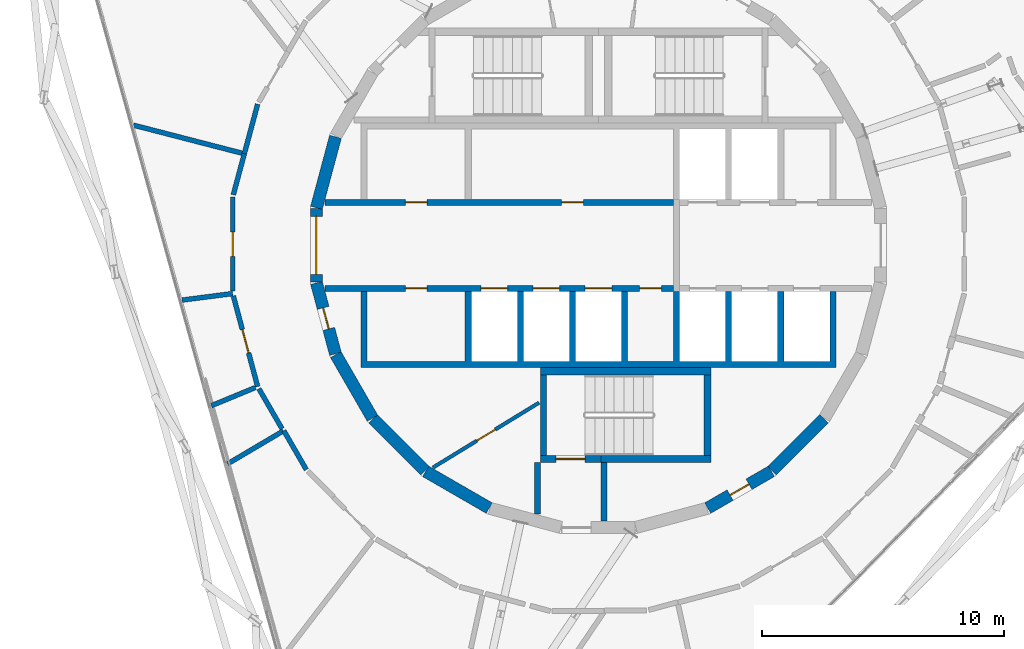
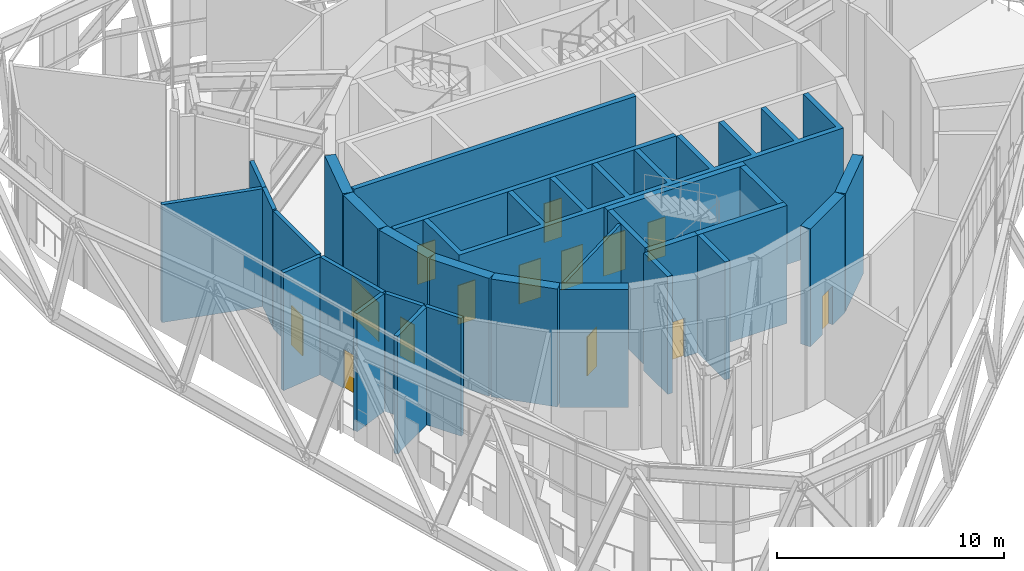
# One storey, part 18 of 23: 29 walls, 14 doors, 14 openings.
"""IFC4 building model written with IfcOpenShell, lengths in metres."""

from ifc_helpers import new_model, si_unit, direction, frame, frame_2d, origin, place, context, subcontext, project, spatial, polyline, rectangle, outline, extrude, material, layer, layer_set, type_object, element, fill, save


model = new_model("IFC4")

# Units and contexts
model_context = context("Model", 3, precision=1e-05, world=origin(), true_north=direction((0.0, 1.0)))
body_context = subcontext(model_context, "Body", "Model", "MODEL_VIEW")
ifc_project = project(units=[si_unit("LENGTHUNIT", "METRE"), si_unit("AREAUNIT", "SQUARE_METRE"), si_unit("VOLUMEUNIT", "CUBIC_METRE"), si_unit("PLANEANGLEUNIT", "RADIAN"), si_unit("MASSUNIT", "GRAM", prefix="KILO")], contexts=[model_context])

# Site, building, storey
site_placement = place(None, origin())
site = spatial("IfcSite", under=ifc_project, at=site_placement, CompositionType="ELEMENT")
building_placement = place(site_placement, origin())
building = spatial("IfcBuilding", under=site, at=building_placement, Name="Spindle Arch Residences", CompositionType="ELEMENT")
storey_placement = place(building_placement, frame((0.0, 0.0, 326.199951171875)))
storey = spatial("IfcBuildingStorey", under=building, at=storey_placement, Name="L84", CompositionType="ELEMENT", Elevation=326.199951171875)

# Wall, opening, door
ifc_material_1 = material(Name="Concrete C50/60", Category="concrete")
ifc_layer_1 = layer(ifc_material_1, 0.5)
ifc_layer_set_1 = layer_set([ifc_layer_1], Name="Core outline wall 500")
wall_type_1 = type_object("IfcWallType", Name="Core outline wall 500", PredefinedType="SHEAR", material=ifc_layer_set_1)
wall_1_placement = place(storey_placement, frame((4.510498046875, -10.84521484375, 0.0), z_axis=(0.0, 0.0, 1.0), x_axis=(0.865975092491, 0.500087131594, 0.0)))
wall_1 = element("IfcWall", 1, at=wall_1_placement, inside=storey, type_object=wall_type_1, Name="Core outline wall 2", PredefinedType="SHEAR", context=body_context, shape_type="SweptSolid", body=[
    extrude(rectangle(XDim=3.03271484375, YDim=0.5, at=frame_2d((1.516357421875, 0.0))), origin(), (0.0, 0.0, 1.0), 6.35009765625),
])
opening_1_placement = place(wall_1_placement, frame((1.06640625, 0.0, 0.0)))
opening_1 = element("IfcOpeningElement", 2, at=opening_1_placement, cuts=wall_1, Name="Opening L84-WD09", PredefinedType="OPENING", context=body_context, shape_type="SweptSolid", body=[
    extrude(rectangle(XDim=0.89990234375, YDim=2.10009765625, at=frame_2d((0.449951171875, 1.050048828125))), frame((0.0, 0.260009765625, 0.0), z_axis=(0.0, -1.0, 0.0), x_axis=(1.0, 0.0, 0.0)), (0.0, 0.0, 1.0), 0.52001953125),
])
ifc_material_2 = material(Name="Steel, fire-resisting door", Category="steel")
door_type_1 = type_object("IfcDoorType", Name="Service room door 900x2100", OperationType="SINGLE_SWING_LEFT", PredefinedType="DOOR", material=ifc_material_2)
door_1_placement = place(opening_1_placement, origin())
door_1 = element("IfcDoor", 3, at=door_1_placement, inside=storey, type_object=door_type_1, Name="Service room door L84-WD09", OperationType="SINGLE_SWING_LEFT", OverallHeight=2.10009765625, OverallWidth=0.89990234375, PredefinedType="DOOR", context=body_context, shape_type="SweptSolid", body=[
    extrude(rectangle(XDim=0.89990234375, YDim=2.10009765625, at=frame_2d((0.449951171875, 1.050048828125))), frame((0.0, 0.02490234375, 0.0), z_axis=(0.0, -1.0, 0.0), x_axis=(1.0, 0.0, 0.0)), (0.0, 0.0, 1.0), 0.050048828125),
])
fill(opening_1, door_1)

# Walls
wall_2_placement = place(storey_placement, frame((7.163818359375, -9.30810546875, 0.0), z_axis=(0.0, 0.0, 1.0), x_axis=(0.707106781187, 0.707106781187, 0.0)))
element("IfcWall", 4, at=wall_2_placement, inside=storey, type_object=wall_type_1, Name="Core outline wall 3", PredefinedType="SHEAR", context=body_context, shape_type="SweptSolid", body=[
    extrude(rectangle(XDim=3.032470703125, YDim=0.5, at=frame_2d((1.51611328125, 0.0))), origin(), (0.0, 0.0, 1.0), 6.35009765625),
])
wall_3_placement = place(storey_placement, frame((-10.858154296875, 4.479248046875, 0.0), z_axis=(0.0, 0.0, 1.0), x_axis=(-0.258734743916, -0.965948410781, 0.0)))
element("IfcWall", 5, at=wall_3_placement, inside=storey, type_object=wall_type_1, Name="Core outline wall 17", PredefinedType="SHEAR", context=body_context, shape_type="SweptSolid", body=[
    extrude(rectangle(XDim=3.03271484375, YDim=0.5, at=frame_2d((1.516357421875, 0.0))), origin(), (0.0, 0.0, 1.0), 6.35009765625),
])

# Wall, opening, door
wall_4_placement = place(storey_placement, frame((-11.647216796875, 1.516357421875, 0.0), z_axis=(0.0, 0.0, 1.0), x_axis=(0.0, -1.0, 0.0)))
wall_4 = element("IfcWall", 6, at=wall_4_placement, inside=storey, type_object=wall_type_1, Name="Core outline wall 18", PredefinedType="SHEAR", context=body_context, shape_type="SweptSolid", body=[
    extrude(rectangle(XDim=3.03271484375, YDim=0.5, at=frame_2d((1.516357421875, 0.0))), origin(), (0.0, 0.0, 1.0), 6.35009765625),
])
opening_2_placement = place(wall_4_placement, frame((0.31640625, 0.0, 0.0)))
opening_2 = element("IfcOpeningElement", 7, at=opening_2_placement, cuts=wall_4, Name="Opening L84-LE01", PredefinedType="OPENING", context=body_context, shape_type="SweptSolid", body=[
    extrude(rectangle(XDim=2.39990234375, YDim=2.10009765625, at=frame_2d((1.199951171875, 1.050048828125))), frame((0.0, 0.260009765625, 0.0), z_axis=(0.0, -1.0, 0.0), x_axis=(1.0, 0.0, 0.0)), (0.0, 0.0, 1.0), 0.52001953125),
])
ifc_material_3 = material(Name="Steel, fire-resisting door", Category="steel")
door_type_2 = type_object("IfcDoorType", Name="Lift lobby entrance door 2400x2100", OperationType="DOUBLE_DOOR_SINGLE_SWING", PredefinedType="DOOR", material=ifc_material_3)
door_2_placement = place(opening_2_placement, origin())
door_2 = element("IfcDoor", 8, at=door_2_placement, inside=storey, type_object=door_type_2, Name="Lift lobby entrance door L84-LE01", OperationType="DOUBLE_DOOR_SINGLE_SWING", OverallHeight=2.10009765625, OverallWidth=2.39990234375, PredefinedType="DOOR", context=body_context, shape_type="SweptSolid", body=[
    extrude(rectangle(XDim=2.39990234375, YDim=2.10009765625, at=frame_2d((1.199951171875, 1.050048828125))), frame((0.0, 0.02490234375, 0.0), z_axis=(0.0, -1.0, 0.0), x_axis=(1.0, 0.0, 0.0)), (0.0, 0.0, 1.0), 0.050048828125),
])
fill(opening_2, door_2)

wall_5_placement = place(storey_placement, frame((-11.642822265625, -1.5498046875, 0.0), z_axis=(0.0, 0.0, 1.0), x_axis=(0.258734743916, -0.965948410781, 0.0)))
wall_5 = element("IfcWall", 9, at=wall_5_placement, inside=storey, type_object=wall_type_1, Name="Core outline wall 19", PredefinedType="SHEAR", context=body_context, shape_type="SweptSolid", body=[
    extrude(rectangle(XDim=3.03271484375, YDim=0.5, at=frame_2d((1.516357421875, 0.0))), origin(), (0.0, 0.0, 1.0), 6.35009765625),
])
opening_3_placement = place(wall_5_placement, frame((1.06640625, 0.0, 0.0)))
opening_3 = element("IfcOpeningElement", 10, at=opening_3_placement, cuts=wall_5, Name="Opening L84-WD10", PredefinedType="OPENING", context=body_context, shape_type="SweptSolid", body=[
    extrude(rectangle(XDim=0.89990234375, YDim=2.10009765625, at=frame_2d((0.449951171875, 1.050048828125))), frame((0.0, 0.260009765625, 0.0), z_axis=(0.0, -1.0, 0.0), x_axis=(1.0, 0.0, 0.0)), (0.0, 0.0, 1.0), 0.52001953125),
])
door_3_placement = place(opening_3_placement, origin())
door_3 = element("IfcDoor", 11, at=door_3_placement, inside=storey, type_object=door_type_1, Name="Service room door L84-WD10", OperationType="SINGLE_SWING_RIGHT", OverallHeight=2.10009765625, OverallWidth=0.89990234375, PredefinedType="DOOR", context=body_context, shape_type="SweptSolid", body=[
    extrude(rectangle(XDim=0.89990234375, YDim=2.10009765625, at=frame_2d((0.449951171875, 1.050048828125))), frame((0.0, 0.02490234375, 0.0), z_axis=(0.0, -1.0, 0.0), x_axis=(1.0, 0.0, 0.0)), (0.0, 0.0, 1.0), 0.050048828125),
])
fill(opening_3, door_3)

# Walls
wall_6_placement = place(storey_placement, frame((-10.84521484375, -4.510498046875, 0.0), z_axis=(0.0, 0.0, 1.0), x_axis=(0.500087131594, -0.865975092491, 0.0)))
element("IfcWall", 12, at=wall_6_placement, inside=storey, type_object=wall_type_1, Name="Core outline wall 20", PredefinedType="SHEAR", context=body_context, shape_type="SweptSolid", body=[
    extrude(rectangle(XDim=3.03271484375, YDim=0.5, at=frame_2d((1.516357421875, 0.0))), origin(), (0.0, 0.0, 1.0), 6.35009765625),
])
wall_7_placement = place(storey_placement, frame((-9.30810546875, -7.163818359375, 0.0), z_axis=(0.0, 0.0, 1.0), x_axis=(0.707106781187, -0.707106781187, 0.0)))
element("IfcWall", 13, at=wall_7_placement, inside=storey, type_object=wall_type_1, Name="Core outline wall 21", PredefinedType="SHEAR", context=body_context, shape_type="SweptSolid", body=[
    extrude(rectangle(XDim=3.032470703125, YDim=0.5, at=frame_2d((1.51611328125, 0.0))), origin(), (0.0, 0.0, 1.0), 6.35009765625),
])
wall_8_placement = place(storey_placement, frame((-7.13671875, -9.32861328125, 0.0), z_axis=(0.0, 0.0, 1.0), x_axis=(0.865975092491, -0.500087131594, 0.0)))
element("IfcWall", 14, at=wall_8_placement, inside=storey, type_object=wall_type_1, Name="Core outline wall 22", PredefinedType="SHEAR", context=body_context, shape_type="SweptSolid", body=[
    extrude(rectangle(XDim=3.03271484375, YDim=0.5, at=frame_2d((1.516357421875, 0.0))), origin(), (0.0, 0.0, 1.0), 6.35009765625),
])

# Wall, openings, doors
ifc_material_4 = material(Name="Concrete C50/60", Category="concrete")
ifc_layer_2 = layer(ifc_material_4, 0.25)
ifc_layer_set_2 = layer_set([ifc_layer_2], Name="Lift shaft wall 250")
wall_type_2 = type_object("IfcWallType", Name="Lift shaft wall 250", PredefinedType="SHEAR", material=ifc_layer_set_2)
wall_9_placement = place(storey_placement, frame((-11.280029296875, 1.77490234375, 0.0), z_axis=(0.0, 0.0, 1.0), x_axis=(1.0, 0.0, 0.0)))
wall_9 = element("IfcWall", 15, at=wall_9_placement, inside=storey, type_object=wall_type_2, Name="Lift shaft front wall NW", PredefinedType="SHEAR", context=body_context, shape_type="SweptSolid", body=[
    extrude(rectangle(XDim=14.380126953125, YDim=0.25, at=frame_2d((7.18994140625, 0.0))), origin(), (0.0, 0.0, 1.0), 6.35009765625),
])
opening_4_placement = place(wall_9_placement, frame((3.304931640625, 0.0, 0.0)))
opening_4 = element("IfcOpeningElement", 16, at=opening_4_placement, cuts=wall_9, Name="Opening L84-WD01", PredefinedType="OPENING", context=body_context, shape_type="SweptSolid", body=[
    extrude(rectangle(XDim=0.89990234375, YDim=2.10009765625, at=frame_2d((0.449951171875, 1.050048828125))), frame((0.0, 0.135009765625, 0.0), z_axis=(0.0, -1.0, 0.0), x_axis=(1.0, 0.0, 0.0)), (0.0, 0.0, 1.0), 0.27001953125),
])
opening_5_placement = place(wall_9_placement, frame((9.7548828125, 0.0, 0.0)))
opening_5 = element("IfcOpeningElement", 17, at=opening_5_placement, cuts=wall_9, Name="Opening L84-WD02", PredefinedType="OPENING", context=body_context, shape_type="SweptSolid", body=[
    extrude(rectangle(XDim=0.89990234375, YDim=2.10009765625, at=frame_2d((0.449951171875, 1.050048828125))), frame((0.0, 0.135009765625, 0.0), z_axis=(0.0, -1.0, 0.0), x_axis=(1.0, 0.0, 0.0)), (0.0, 0.0, 1.0), 0.27001953125),
])
door_4_placement = place(opening_4_placement, origin())
door_4 = element("IfcDoor", 18, at=door_4_placement, inside=storey, type_object=door_type_1, Name="Service room door L84-WD01", OperationType="SINGLE_SWING_LEFT", OverallHeight=2.10009765625, OverallWidth=0.89990234375, PredefinedType="DOOR", context=body_context, shape_type="SweptSolid", body=[
    extrude(rectangle(XDim=0.89990234375, YDim=2.10009765625, at=frame_2d((0.449951171875, 1.050048828125))), frame((0.0, 0.02490234375, 0.0), z_axis=(0.0, -1.0, 0.0), x_axis=(1.0, 0.0, 0.0)), (0.0, 0.0, 1.0), 0.050048828125),
])
fill(opening_4, door_4)
door_5_placement = place(opening_5_placement, origin())
door_5 = element("IfcDoor", 19, at=door_5_placement, inside=storey, type_object=door_type_1, Name="Service room door L84-WD02", OperationType="SINGLE_SWING_RIGHT", OverallHeight=2.10009765625, OverallWidth=0.89990234375, PredefinedType="DOOR", context=body_context, shape_type="SweptSolid", body=[
    extrude(rectangle(XDim=0.89990234375, YDim=2.10009765625, at=frame_2d((0.449951171875, 1.050048828125))), frame((0.0, 0.02490234375, 0.0), z_axis=(0.0, -1.0, 0.0), x_axis=(1.0, 0.0, 0.0)), (0.0, 0.0, 1.0), 0.050048828125),
])
fill(opening_5, door_5)

wall_10_placement = place(storey_placement, frame((-11.280029296875, -1.77490234375, 0.0), z_axis=(0.0, 0.0, 1.0), x_axis=(1.0, 0.0, 0.0)))
wall_10 = element("IfcWall", 20, at=wall_10_placement, inside=storey, type_object=wall_type_2, Name="Lift shaft front wall SW", PredefinedType="SHEAR", context=body_context, shape_type="SweptSolid", body=[
    extrude(rectangle(XDim=14.380126953125, YDim=0.25, at=frame_2d((7.18994140625, 0.0))), origin(), (0.0, 0.0, 1.0), 6.35009765625),
])
opening_6_placement = place(wall_10_placement, frame((6.429931640625, 0.0, 0.0)))
opening_6 = element("IfcOpeningElement", 21, at=opening_6_placement, cuts=wall_10, Name="Opening L84-LD01", PredefinedType="OPENING", context=body_context, shape_type="SweptSolid", body=[
    extrude(rectangle(XDim=1.10009765625, YDim=2.10009765625, at=frame_2d((0.550048828125, 1.050048828125))), frame((0.0, 0.135009765625, 0.0), z_axis=(0.0, -1.0, 0.0), x_axis=(1.0, 0.0, 0.0)), (0.0, 0.0, 1.0), 0.27001953125),
])
opening_7_placement = place(wall_10_placement, frame((8.580078125, 0.0, 0.0)))
opening_7 = element("IfcOpeningElement", 22, at=opening_7_placement, cuts=wall_10, Name="Opening L84-LD02", PredefinedType="OPENING", context=body_context, shape_type="SweptSolid", body=[
    extrude(rectangle(XDim=1.10009765625, YDim=2.10009765625, at=frame_2d((0.550048828125, 1.050048828125))), frame((0.0, 0.135009765625, 0.0), z_axis=(0.0, -1.0, 0.0), x_axis=(1.0, 0.0, 0.0)), (0.0, 0.0, 1.0), 0.27001953125),
])
opening_8_placement = place(wall_10_placement, frame((10.72998046875, 0.0, 0.0)))
opening_8 = element("IfcOpeningElement", 23, at=opening_8_placement, cuts=wall_10, Name="Opening L84-LD03", PredefinedType="OPENING", context=body_context, shape_type="SweptSolid", body=[
    extrude(rectangle(XDim=1.10009765625, YDim=2.10009765625, at=frame_2d((0.550048828125, 1.050048828125))), frame((0.0, 0.135009765625, 0.0), z_axis=(0.0, -1.0, 0.0), x_axis=(1.0, 0.0, 0.0)), (0.0, 0.0, 1.0), 0.27001953125),
])
opening_9_placement = place(wall_10_placement, frame((3.304931640625, 0.0, 0.0)))
opening_9 = element("IfcOpeningElement", 24, at=opening_9_placement, cuts=wall_10, Name="Opening L84-WD04", PredefinedType="OPENING", context=body_context, shape_type="SweptSolid", body=[
    extrude(rectangle(XDim=0.89990234375, YDim=2.10009765625, at=frame_2d((0.449951171875, 1.050048828125))), frame((0.0, 0.135009765625, 0.0), z_axis=(0.0, -1.0, 0.0), x_axis=(1.0, 0.0, 0.0)), (0.0, 0.0, 1.0), 0.27001953125),
])
opening_10_placement = place(wall_10_placement, frame((12.97998046875, 0.0, 0.0)))
opening_10 = element("IfcOpeningElement", 25, at=opening_10_placement, cuts=wall_10, Name="Opening L84-WD05", PredefinedType="OPENING", context=body_context, shape_type="SweptSolid", body=[
    extrude(rectangle(XDim=0.89990234375, YDim=2.10009765625, at=frame_2d((0.449951171875, 1.050048828125))), frame((0.0, 0.135009765625, 0.0), z_axis=(0.0, -1.0, 0.0), x_axis=(1.0, 0.0, 0.0)), (0.0, 0.0, 1.0), 0.27001953125),
])
ifc_material_5 = material(Name="Steel, fire-resisting landing door", Category="steel")
door_type_3 = type_object("IfcDoorType", Name="Lift landing door 1100x2100", OperationType="DOUBLE_DOOR_SLIDING", PredefinedType="DOOR", material=ifc_material_5)
door_6_placement = place(opening_6_placement, origin())
door_6 = element("IfcDoor", 26, at=door_6_placement, inside=storey, type_object=door_type_3, Name="Lift landing door L84-LD01", OperationType="DOUBLE_DOOR_SLIDING", OverallHeight=2.10009765625, OverallWidth=1.10009765625, PredefinedType="DOOR", context=body_context, shape_type="SweptSolid", body=[
    extrude(rectangle(XDim=1.10009765625, YDim=2.10009765625, at=frame_2d((0.550048828125, 1.050048828125))), frame((0.0, 0.02490234375, 0.0), z_axis=(0.0, -1.0, 0.0), x_axis=(1.0, 0.0, 0.0)), (0.0, 0.0, 1.0), 0.050048828125),
])
fill(opening_6, door_6)
door_7_placement = place(opening_7_placement, origin())
door_7 = element("IfcDoor", 27, at=door_7_placement, inside=storey, type_object=door_type_3, Name="Lift landing door L84-LD02", OperationType="DOUBLE_DOOR_SLIDING", OverallHeight=2.10009765625, OverallWidth=1.10009765625, PredefinedType="DOOR", context=body_context, shape_type="SweptSolid", body=[
    extrude(rectangle(XDim=1.10009765625, YDim=2.10009765625, at=frame_2d((0.550048828125, 1.050048828125))), frame((0.0, 0.02490234375, 0.0), z_axis=(0.0, -1.0, 0.0), x_axis=(1.0, 0.0, 0.0)), (0.0, 0.0, 1.0), 0.050048828125),
])
fill(opening_7, door_7)
door_8_placement = place(opening_8_placement, origin())
door_8 = element("IfcDoor", 28, at=door_8_placement, inside=storey, type_object=door_type_3, Name="Lift landing door L84-LD03", OperationType="DOUBLE_DOOR_SLIDING", OverallHeight=2.10009765625, OverallWidth=1.10009765625, PredefinedType="DOOR", context=body_context, shape_type="SweptSolid", body=[
    extrude(rectangle(XDim=1.10009765625, YDim=2.10009765625, at=frame_2d((0.550048828125, 1.050048828125))), frame((0.0, 0.02490234375, 0.0), z_axis=(0.0, -1.0, 0.0), x_axis=(1.0, 0.0, 0.0)), (0.0, 0.0, 1.0), 0.050048828125),
])
fill(opening_8, door_8)
door_9_placement = place(opening_9_placement, origin())
door_9 = element("IfcDoor", 29, at=door_9_placement, inside=storey, type_object=door_type_1, Name="Service room door L84-WD04", OperationType="SINGLE_SWING_RIGHT", OverallHeight=2.10009765625, OverallWidth=0.89990234375, PredefinedType="DOOR", context=body_context, shape_type="SweptSolid", body=[
    extrude(rectangle(XDim=0.89990234375, YDim=2.10009765625, at=frame_2d((0.449951171875, 1.050048828125))), frame((0.0, 0.02490234375, 0.0), z_axis=(0.0, -1.0, 0.0), x_axis=(1.0, 0.0, 0.0)), (0.0, 0.0, 1.0), 0.050048828125),
])
fill(opening_9, door_9)
door_10_placement = place(opening_10_placement, origin())
door_10 = element("IfcDoor", 30, at=door_10_placement, inside=storey, type_object=door_type_1, Name="Service room door L84-WD05", OperationType="SINGLE_SWING_LEFT", OverallHeight=2.10009765625, OverallWidth=0.89990234375, PredefinedType="DOOR", context=body_context, shape_type="SweptSolid", body=[
    extrude(rectangle(XDim=0.89990234375, YDim=2.10009765625, at=frame_2d((0.449951171875, 1.050048828125))), frame((0.0, 0.02490234375, 0.0), z_axis=(0.0, -1.0, 0.0), x_axis=(1.0, 0.0, 0.0)), (0.0, 0.0, 1.0), 0.050048828125),
])
fill(opening_10, door_10)

# Walls
ifc_material_6 = material(Name="Concrete C50/60", Category="concrete")
wall_type_3 = type_object("IfcWallType", Name="Lift shaft wall profile", PredefinedType="SHEAR", material=ifc_material_6)
wall_11_placement = place(storey_placement, origin())
element("IfcWall", 31, at=wall_11_placement, inside=storey, type_object=wall_type_3, Name="Lift shaft walls S", PredefinedType="SHEAR", context=body_context, shape_type="SweptSolid", body=[
    extrude(outline(polyline([(9.800048828125, -5.050048828125), (9.800048828125, -4.800048828125), (9.800048828125, -1.89990234375), (9.550048828125, -1.89990234375), (9.550048828125, -4.800048828125), (7.64990234375, -4.800048828125), (7.64990234375, -1.89990234375), (7.39990234375, -1.89990234375), (7.39990234375, -4.800048828125), (5.5, -4.800048828125), (5.5, -1.89990234375), (5.25, -1.89990234375), (5.25, -4.800048828125), (3.35009765625, -4.800048828125), (3.35009765625, -1.89990234375), (3.10009765625, -1.89990234375), (3.10009765625, -4.800048828125), (1.199951171875, -4.800048828125), (1.199951171875, -1.89990234375), (0.949951171875, -1.89990234375), (0.949951171875, -4.800048828125), (-0.949951171875, -4.800048828125), (-0.949951171875, -1.89990234375), (-1.199951171875, -1.89990234375), (-1.199951171875, -4.800048828125), (-3.10009765625, -4.800048828125), (-3.10009765625, -1.89990234375), (-3.35009765625, -1.89990234375), (-3.35009765625, -4.800048828125), (-5.25, -4.800048828125), (-5.25, -1.89990234375), (-5.5, -1.89990234375), (-5.5, -4.800048828125), (-9.550048828125, -4.800048828125), (-9.550048828125, -1.89990234375), (-9.800048828125, -1.89990234375), (-9.800048828125, -4.800048828125), (-9.800048828125, -5.050048828125), (9.800048828125, -5.050048828125)])), origin(), (0.0, 0.0, 1.0), 6.35009765625),
])
ifc_material_7 = material(Name="Gypsum board partition on steel studs", Category="steel")
ifc_layer_3 = layer(ifc_material_7, 0.199951171875)
ifc_layer_set_3 = layer_set([ifc_layer_3], Name="Partition EI 60 200 amenity")
wall_type_4 = type_object("IfcWallType", Name="Partition EI 60 200 amenity", PredefinedType="PARTITIONING", material=ifc_layer_set_3)
wall_12_placement = place(storey_placement, frame((-15.31005859375, -9.02001953125, 0.0), z_axis=(0.0, 0.0, 1.0), x_axis=(0.860764599267, 0.509003246207, 0.0)))
element("IfcWall", 32, at=wall_12_placement, inside=storey, type_object=wall_type_4, Name="L84-W001", PredefinedType="PARTITIONING", context=body_context, shape_type="SweptSolid", body=[
    extrude(rectangle(XDim=2.672119140625, YDim=0.199951171875, at=frame_2d((1.3359375, 0.0))), origin(), (0.0, 0.0, 1.0), 6.35009765625),
])
wall_13_placement = place(storey_placement, frame((-15.10009765625, -1.989990234375, 0.0), z_axis=(0.0, 0.0, 1.0), x_axis=(-0.991756032237, -0.128140440614, 0.0)))
element("IfcWall", 33, at=wall_13_placement, inside=storey, type_object=wall_type_4, Name="L84-W004", PredefinedType="PARTITIONING", context=body_context, shape_type="SweptSolid", body=[
    extrude(rectangle(XDim=2.107177734375, YDim=0.199951171875, at=frame_2d((1.0537109375, 0.0))), origin(), (0.0, 0.0, 1.0), 6.35009765625),
])

# Wall, opening, door
wall_14_placement = place(storey_placement, frame((-15.073974609375, -2.086669921875, 0.0), z_axis=(0.0, 0.0, 1.0), x_axis=(0.259026804199, -0.965870133458, 0.0)))
wall_14 = element("IfcWall", 34, at=wall_14_placement, inside=storey, type_object=wall_type_4, Name="L84-W005", PredefinedType="PARTITIONING", context=body_context, shape_type="SweptSolid", body=[
    extrude(rectangle(XDim=3.875732421875, YDim=0.199951171875, at=frame_2d((1.93798828125, 0.0))), origin(), (0.0, 0.0, 1.0), 6.35009765625),
])
opening_11_placement = place(wall_14_placement, frame((1.43798828125, 0.0, 0.0)))
opening_11 = element("IfcOpeningElement", 35, at=opening_11_placement, cuts=wall_14, Name="Opening L84-D07", PredefinedType="OPENING", context=body_context, shape_type="SweptSolid", body=[
    extrude(rectangle(XDim=1.0, YDim=2.10009765625, at=frame_2d((0.5, 1.050048828125))), frame((0.0, 0.10986328125, 0.0), z_axis=(0.0, -1.0, 0.0), x_axis=(1.0, 0.0, 0.0)), (0.0, 0.0, 1.0), 0.219970703125),
])
ifc_material_8 = material(Name="Timber door leaf", Category="wood")
door_type_4 = type_object("IfcDoorType", Name="Door 1000x2100 EI 30", OperationType="SINGLE_SWING_LEFT", PredefinedType="DOOR", material=ifc_material_8)
door_11_placement = place(opening_11_placement, origin())
door_11 = element("IfcDoor", 36, at=door_11_placement, inside=storey, type_object=door_type_4, Name="L84-D07", OperationType="SINGLE_SWING_LEFT", OverallHeight=2.10009765625, OverallWidth=1.0, PredefinedType="DOOR", context=body_context, shape_type="SweptSolid", body=[
    extrude(rectangle(XDim=1.0, YDim=2.10009765625, at=frame_2d((0.5, 1.050048828125))), frame((0.0, 0.02490234375, 0.0), z_axis=(0.0, -1.0, 0.0), x_axis=(1.0, 0.0, 0.0)), (0.0, 0.0, 1.0), 0.050048828125),
])
fill(opening_11, door_11)

wall_15_placement = place(storey_placement, frame((-15.10009765625, 1.989990234375, 0.0), z_axis=(0.0, 0.0, 1.0), x_axis=(0.0, -1.0, 0.0)))
wall_15 = element("IfcWall", 37, at=wall_15_placement, inside=storey, type_object=wall_type_4, Name="L84-W006", PredefinedType="PARTITIONING", context=body_context, shape_type="SweptSolid", body=[
    extrude(rectangle(XDim=3.8798828125, YDim=0.199951171875, at=frame_2d((1.93994140625, 0.0))), origin(), (0.0, 0.0, 1.0), 6.35009765625),
])
opening_12_placement = place(wall_15_placement, frame((1.43994140625, 0.0, 0.0)))
opening_12 = element("IfcOpeningElement", 38, at=opening_12_placement, cuts=wall_15, Name="Opening L84-D08", PredefinedType="OPENING", context=body_context, shape_type="SweptSolid", body=[
    extrude(rectangle(XDim=1.0, YDim=2.10009765625, at=frame_2d((0.5, 1.050048828125))), frame((0.0, 0.10986328125, 0.0), z_axis=(0.0, -1.0, 0.0), x_axis=(1.0, 0.0, 0.0)), (0.0, 0.0, 1.0), 0.219970703125),
])
door_12_placement = place(opening_12_placement, origin())
door_12 = element("IfcDoor", 39, at=door_12_placement, inside=storey, type_object=door_type_4, Name="L84-D08", OperationType="SINGLE_SWING_LEFT", OverallHeight=2.10009765625, OverallWidth=1.0, PredefinedType="DOOR", context=body_context, shape_type="SweptSolid", body=[
    extrude(rectangle(XDim=1.0, YDim=2.10009765625, at=frame_2d((0.5, 1.050048828125))), frame((0.0, 0.02490234375, 0.0), z_axis=(0.0, -1.0, 0.0), x_axis=(1.0, 0.0, 0.0)), (0.0, 0.0, 1.0), 0.050048828125),
])
fill(opening_12, door_12)

# Walls
wall_16_placement = place(storey_placement, frame((-14.716796875, 3.804931640625, 0.0), z_axis=(0.0, 0.0, 1.0), x_axis=(-0.968242255447, 0.250013869148, 0.0)))
element("IfcWall", 40, at=wall_16_placement, inside=storey, type_object=wall_type_4, Name="L84-W007", PredefinedType="PARTITIONING", context=body_context, shape_type="SweptSolid", body=[
    extrude(rectangle(XDim=4.619873046875, YDim=0.199951171875, at=frame_2d((2.31005859375, 0.0))), origin(), (0.0, 0.0, 1.0), 6.35009765625),
])
wall_17_placement = place(storey_placement, frame((-14.6201171875, 3.780029296875, 0.0), z_axis=(0.0, 0.0, 1.0), x_axis=(-0.259014501827, -0.965873432621, 0.0)))
element("IfcWall", 41, at=wall_17_placement, inside=storey, type_object=wall_type_4, Name="L84-W008", PredefinedType="PARTITIONING", context=body_context, shape_type="SweptSolid", body=[
    extrude(rectangle(XDim=1.753173828125, YDim=0.199951171875, at=frame_2d((0.87646484375, 0.0))), origin(), (0.0, 0.0, 1.0), 6.35009765625),
])
wall_18_placement = place(storey_placement, frame((-14.162353515625, -5.8681640625, 0.0), z_axis=(0.0, 0.0, 1.0), x_axis=(-0.924047071107, -0.382278707724, 0.0)))
element("IfcWall", 42, at=wall_18_placement, inside=storey, type_object=wall_type_4, Name="L84-W012", PredefinedType="PARTITIONING", context=body_context, shape_type="SweptSolid", body=[
    extrude(rectangle(XDim=1.967041015625, YDim=0.199951171875, at=frame_2d((0.9833984375, 0.0))), origin(), (0.0, 0.0, 1.0), 6.35009765625),
])
wall_19_placement = place(storey_placement, frame((-14.019775390625, -5.91650390625, 0.0), z_axis=(0.0, 0.0, 1.0), x_axis=(0.501197090029, -0.865333159509, 0.0)))
element("IfcWall", 43, at=wall_19_placement, inside=storey, type_object=wall_type_4, Name="L84-W013", PredefinedType="PARTITIONING", context=body_context, shape_type="SweptSolid", body=[
    extrude(rectangle(XDim=1.914794921875, YDim=0.199951171875, at=frame_2d((0.95751953125, 0.0))), origin(), (0.0, 0.0, 1.0), 6.35009765625),
])
wall_20_placement = place(storey_placement, frame((-14.070068359375, 5.830078125, 0.0), z_axis=(0.0, 0.0, 1.0), x_axis=(-0.259144268261, -0.965838624319, 0.0)))
element("IfcWall", 44, at=wall_20_placement, inside=storey, type_object=wall_type_4, Name="L84-W014", PredefinedType="PARTITIONING", context=body_context, shape_type="SweptSolid", body=[
    extrude(rectangle(XDim=2.12255859375, YDim=0.199951171875, at=frame_2d((1.061279296875, 0.0))), origin(), (0.0, 0.0, 1.0), 6.35009765625),
])
wall_21_placement = place(storey_placement, frame((-12.989990234375, -7.64990234375, 0.0), z_axis=(0.0, 0.0, 1.0), x_axis=(0.50013539823, -0.865947217466, 0.0)))
element("IfcWall", 45, at=wall_21_placement, inside=storey, type_object=wall_type_4, Name="L84-W015", PredefinedType="PARTITIONING", context=body_context, shape_type="SweptSolid", body=[
    extrude(rectangle(XDim=1.859375, YDim=0.199951171875, at=frame_2d((0.9296875, 0.0))), origin(), (0.0, 0.0, 1.0), 6.35009765625),
])

# Wall, opening, door
ifc_material_9 = material(Name="Concrete C25/30", Category="concrete")
ifc_layer_4 = layer(ifc_material_9, 0.14990234375)
ifc_layer_set_4 = layer_set([ifc_layer_4], Name="Service room partition 150")
wall_type_5 = type_object("IfcWallType", Name="Service room partition 150", PredefinedType="PARTITIONING", material=ifc_layer_set_4)
wall_22_placement = place(storey_placement, frame((-2.451171875, -6.49462890625, 0.0), z_axis=(0.0, 0.0, 1.0), x_axis=(-0.853250115418, -0.521501908471, 0.0)))
wall_22 = element("IfcWall", 46, at=wall_22_placement, inside=storey, type_object=wall_type_5, Name="Core service room partition", PredefinedType="PARTITIONING", context=body_context, shape_type="SweptSolid", body=[
    extrude(rectangle(XDim=5.137451171875, YDim=0.14990234375, at=frame_2d((2.56884765625, 0.0))), origin(), (0.0, 0.0, 1.0), 6.35009765625),
])
opening_13_placement = place(wall_22_placement, frame((2.11865234375, 0.0, 0.0)))
opening_13 = element("IfcOpeningElement", 47, at=opening_13_placement, cuts=wall_22, Name="Opening L84-WD06", PredefinedType="OPENING", context=body_context, shape_type="SweptSolid", body=[
    extrude(rectangle(XDim=0.89990234375, YDim=2.10009765625, at=frame_2d((0.449951171875, 1.050048828125))), frame((0.0, 0.0849609375, 0.0), z_axis=(0.0, -1.0, 0.0), x_axis=(1.0, 0.0, 0.0)), (0.0, 0.0, 1.0), 0.169921875),
])
door_13_placement = place(opening_13_placement, origin())
door_13 = element("IfcDoor", 48, at=door_13_placement, inside=storey, type_object=door_type_1, Name="Service room door L84-WD06", OperationType="SINGLE_SWING_RIGHT", OverallHeight=2.10009765625, OverallWidth=0.89990234375, PredefinedType="DOOR", context=body_context, shape_type="SweptSolid", body=[
    extrude(rectangle(XDim=0.89990234375, YDim=2.10009765625, at=frame_2d((0.449951171875, 1.050048828125))), frame((0.0, 0.02490234375, 0.0), z_axis=(0.0, -1.0, 0.0), x_axis=(1.0, 0.0, 0.0)), (0.0, 0.0, 1.0), 0.050048828125),
])
fill(opening_13, door_13)

# Walls
ifc_material_10 = material(Name="Concrete C40/50", Category="concrete")
ifc_layer_5 = layer(ifc_material_10, 0.25)
ifc_layer_set_5 = layer_set([ifc_layer_5], Name="Stair airlock wall 250")
wall_type_6 = type_object("IfcWallType", Name="Stair airlock wall 250", PredefinedType="SHEAR", material=ifc_layer_set_5)
wall_23_placement = place(storey_placement, frame((-2.52490234375, -8.969970703125, 0.0), z_axis=(0.0, 0.0, 1.0), x_axis=(0.0, -1.0, 0.0)))
element("IfcWall", 49, at=wall_23_placement, inside=storey, type_object=wall_type_6, Name="Stair ST-3 airlock wall W", PredefinedType="SHEAR", context=body_context, shape_type="SweptSolid", body=[
    extrude(rectangle(XDim=2.110107421875, YDim=0.25, at=frame_2d((1.05517578125, 0.0))), origin(), (0.0, 0.0, 1.0), 6.35009765625),
])
wall_24_placement = place(storey_placement, frame((0.22509765625, -8.969970703125, 0.0), z_axis=(0.0, 0.0, 1.0), x_axis=(0.0, -1.0, 0.0)))
element("IfcWall", 50, at=wall_24_placement, inside=storey, type_object=wall_type_6, Name="Stair ST-3 airlock wall E", PredefinedType="SHEAR", context=body_context, shape_type="SweptSolid", body=[
    extrude(rectangle(XDim=2.409912109375, YDim=0.25, at=frame_2d((1.205078125, 0.0))), origin(), (0.0, 0.0, 1.0), 6.35009765625),
])
ifc_material_11 = material(Name="Concrete C50/60", Category="concrete")
ifc_layer_6 = layer(ifc_material_11, 0.25)
ifc_layer_set_6 = layer_set([ifc_layer_6], Name="Stair enclosure wall 250")
wall_type_7 = type_object("IfcWallType", Name="Stair enclosure wall 250", PredefinedType="SHEAR", material=ifc_layer_set_6)
wall_25_placement = place(storey_placement, frame((-2.27490234375, -8.669921875, 0.0), z_axis=(0.0, 0.0, 1.0), x_axis=(0.0, 1.0, 0.0)))
element("IfcWall", 51, at=wall_25_placement, inside=storey, type_object=wall_type_7, Name="Stair ST-3 enclosure wall W", PredefinedType="SHEAR", context=body_context, shape_type="SweptSolid", body=[
    extrude(rectangle(XDim=3.31982421875, YDim=0.25, at=frame_2d((1.659912109375, 0.0))), origin(), (0.0, 0.0, 1.0), 6.35009765625),
])
ifc_material_12 = material(Name="Concrete C50/60", Category="concrete")
ifc_layer_7 = layer(ifc_material_12, 0.300048828125)
ifc_layer_set_7 = layer_set([ifc_layer_7], Name="Stair enclosure wall 300")
wall_type_8 = type_object("IfcWallType", Name="Stair enclosure wall 300", PredefinedType="SHEAR", material=ifc_layer_set_7)
wall_26_placement = place(storey_placement, frame((-2.39990234375, -5.199951171875, 0.0), z_axis=(0.0, 0.0, 1.0), x_axis=(1.0, 0.0, 0.0)))
element("IfcWall", 52, at=wall_26_placement, inside=storey, type_object=wall_type_8, Name="Stair ST-3 enclosure wall N", PredefinedType="SHEAR", context=body_context, shape_type="SweptSolid", body=[
    extrude(rectangle(XDim=7.0498046875, YDim=0.300048828125, at=frame_2d((3.52490234375, 0.0))), origin(), (0.0, 0.0, 1.0), 6.35009765625),
])
wall_27_placement = place(storey_placement, frame((4.5, -8.669921875, 0.0), z_axis=(0.0, 0.0, 1.0), x_axis=(0.0, 1.0, 0.0)))
element("IfcWall", 53, at=wall_27_placement, inside=storey, type_object=wall_type_8, Name="Stair ST-3 enclosure wall E", PredefinedType="SHEAR", context=body_context, shape_type="SweptSolid", body=[
    extrude(rectangle(XDim=3.31982421875, YDim=0.300048828125, at=frame_2d((1.659912109375, 0.0))), origin(), (0.0, 0.0, 1.0), 6.35009765625),
])
wall_28_placement = place(storey_placement, frame((0.10009765625, -8.820068359375, 0.0), z_axis=(0.0, 0.0, 1.0), x_axis=(1.0, 0.0, 0.0)))
element("IfcWall", 54, at=wall_28_placement, inside=storey, type_object=wall_type_8, Name="Stair ST-3 enclosure wall S", PredefinedType="SHEAR", context=body_context, shape_type="SweptSolid", body=[
    extrude(rectangle(XDim=4.5498046875, YDim=0.300048828125, at=frame_2d((2.27490234375, 0.0))), origin(), (0.0, 0.0, 1.0), 6.35009765625),
])

# Wall, opening, door
wall_29_placement = place(storey_placement, frame((-2.39990234375, -8.820068359375, 0.0), z_axis=(0.0, 0.0, 1.0), x_axis=(1.0, 0.0, 0.0)))
wall_29 = element("IfcWall", 55, at=wall_29_placement, inside=storey, type_object=wall_type_8, Name="Stair ST-3 door wall", PredefinedType="SHEAR", context=body_context, shape_type="SweptSolid", body=[
    extrude(rectangle(XDim=2.5, YDim=0.300048828125, at=frame_2d((1.25, 0.0))), origin(), (0.0, 0.0, 1.0), 6.35009765625),
])
opening_14_placement = place(wall_29_placement, frame((0.64990234375, 0.0, 0.0)))
opening_14 = element("IfcOpeningElement", 56, at=opening_14_placement, cuts=wall_29, Name="Opening L84-SD03", PredefinedType="OPENING", context=body_context, shape_type="SweptSolid", body=[
    extrude(rectangle(XDim=1.199951171875, YDim=2.10009765625, at=frame_2d((0.60009765625, 1.050048828125))), frame((0.0, 0.16015625, 0.0), z_axis=(0.0, -1.0, 0.0), x_axis=(1.0, 0.0, 0.0)), (0.0, 0.0, 1.0), 0.320068359375),
])
ifc_material_13 = material(Name="Steel, fire-resisting door", Category="steel")
door_type_5 = type_object("IfcDoorType", Name="Stair door 1200x2100", OperationType="SINGLE_SWING_RIGHT", PredefinedType="DOOR", material=ifc_material_13)
door_14_placement = place(opening_14_placement, origin())
door_14 = element("IfcDoor", 57, at=door_14_placement, inside=storey, type_object=door_type_5, Name="Stair door L84-SD03", OperationType="SINGLE_SWING_LEFT", OverallHeight=2.10009765625, OverallWidth=1.199951171875, PredefinedType="DOOR", context=body_context, shape_type="SweptSolid", body=[
    extrude(rectangle(XDim=1.199951171875, YDim=2.10009765625, at=frame_2d((0.60009765625, 1.050048828125))), frame((0.0, 0.02490234375, 0.0), z_axis=(0.0, -1.0, 0.0), x_axis=(1.0, 0.0, 0.0)), (0.0, 0.0, 1.0), 0.050048828125),
])
fill(opening_14, door_14)

save(model, "model.ifc")
